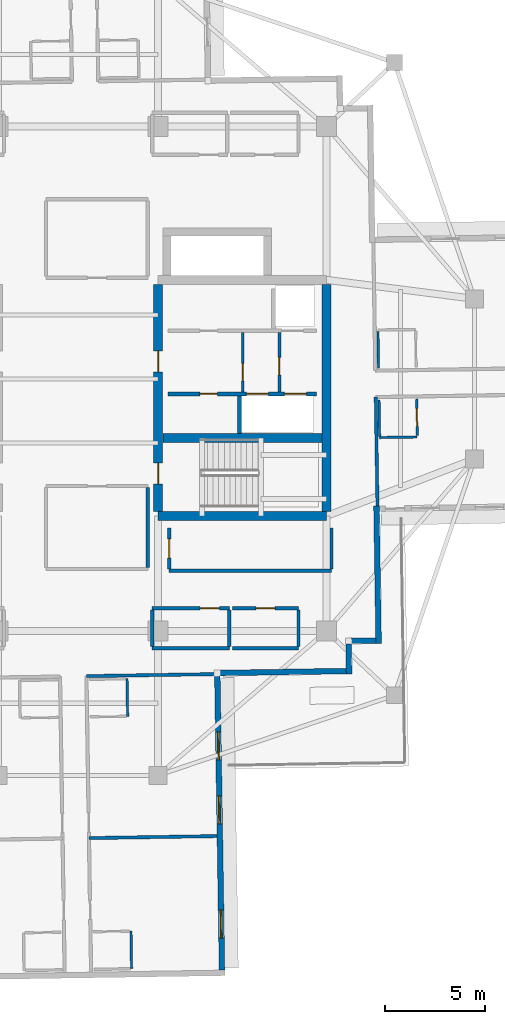
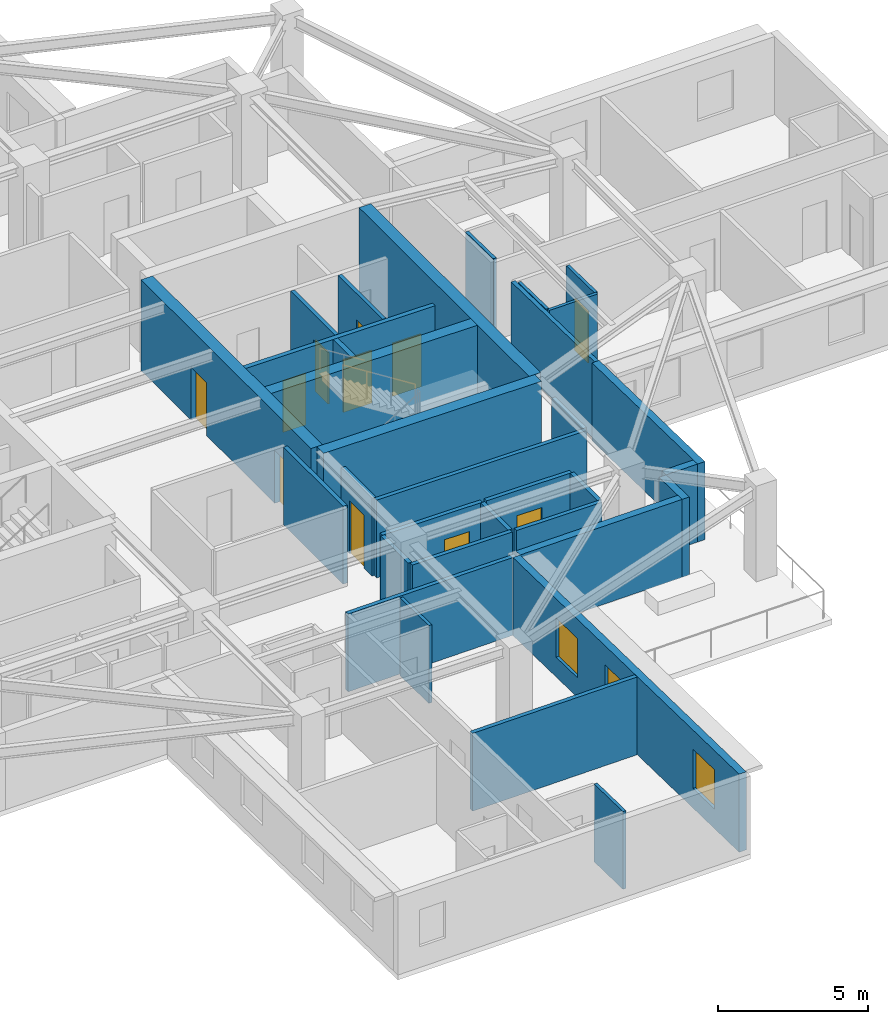
# One storey, part 5 of 13: 33 walls, 11 doors, 3 windows, 14 openings.
"""IFC4 building model written with IfcOpenShell, lengths in metres."""

from ifc_helpers import new_model, si_unit, direction, frame, frame_2d, origin, place, context, subcontext, project, spatial, rectangle, extrude, material, layer, layer_set, type_object, element, fill, save


model = new_model("IFC4")

# Units and contexts
model_context = context("Model", 3, precision=1e-05, world=origin(), true_north=direction((0.0, 1.0)))
body_context = subcontext(model_context, "Body", "Model", "MODEL_VIEW")
ifc_project = project(units=[si_unit("LENGTHUNIT", "METRE"), si_unit("AREAUNIT", "SQUARE_METRE"), si_unit("VOLUMEUNIT", "CUBIC_METRE"), si_unit("PLANEANGLEUNIT", "RADIAN"), si_unit("MASSUNIT", "GRAM", prefix="KILO")], contexts=[model_context])

# Site, building, storey
site_placement = place(None, origin())
site = spatial("IfcSite", under=ifc_project, at=site_placement, CompositionType="ELEMENT")
building_placement = place(site_placement, origin())
building = spatial("IfcBuilding", under=site, at=building_placement, Name="Qingluan Cross Belvedere", CompositionType="ELEMENT")
storey_placement = place(building_placement, frame((0.0, 0.0, 220.800048828125)))
storey = spatial("IfcBuildingStorey", under=building, at=storey_placement, Name="L55", CompositionType="ELEMENT", Elevation=220.800048828125)

# Wall
ifc_material_1 = material(Name="Concrete C50", Category="concrete")
ifc_layer_1 = layer(ifc_material_1, 0.449951171875, Name="CoreShearWall_450")
ifc_layer_set_1 = layer_set([ifc_layer_1], Name="Concrete C50")
wall_type_1 = type_object("IfcWallType", Name="CoreShearWall_450", PredefinedType="SHEAR", material=ifc_layer_set_1)
wall_1_placement = place(storey_placement, frame((4.0, -6.85009765625, 0.0), z_axis=(0.0, 0.0, 1.0), x_axis=(1.0, 0.0, 0.0)))
element("IfcWall", 1, at=wall_1_placement, inside=storey, type_object=wall_type_1, Name="Split core E shear wall L55-S", PredefinedType="SHEAR", context=body_context, shape_type="SweptSolid", body=[
    extrude(rectangle(XDim=8.39990234375, YDim=0.449951171875, at=frame_2d((4.199951171875, 0.0))), origin(), (0.0, 0.0, 1.0), 3.699951171875),
])

# Wall, openings, doors
wall_2_placement = place(storey_placement, frame((4.0, -6.6201171875, 0.0), z_axis=(0.0, 0.0, 1.0), x_axis=(0.0, 1.0, 0.0)))
wall_2 = element("IfcWall", 2, at=wall_2_placement, inside=storey, type_object=wall_type_1, Name="Split core E shear wall L55-W", PredefinedType="SHEAR", context=body_context, shape_type="SweptSolid", body=[
    extrude(rectangle(XDim=11.340087890625, YDim=0.449951171875, at=frame_2d((5.669921875, 0.0))), origin(), (0.0, 0.0, 1.0), 3.699951171875),
])
opening_1_placement = place(wall_2_placement, frame((1.3701171875, 0.0, 0.0)))
opening_1 = element("IfcOpeningElement", 3, at=opening_1_placement, cuts=wall_2, Name="Opening FD-B11", PredefinedType="OPENING", context=body_context, shape_type="SweptSolid", body=[
    extrude(rectangle(XDim=1.050048828125, YDim=2.14990234375, at=frame_2d((0.52490234375, 1.074951171875))), frame((0.0, 0.23486328125, 0.0), z_axis=(0.0, -1.0, 0.0), x_axis=(1.0, 0.0, 0.0)), (0.0, 0.0, 1.0), 0.469970703125),
])
opening_2_placement = place(wall_2_placement, frame((6.969970703125, 0.0, 0.0)))
opening_2 = element("IfcOpeningElement", 4, at=opening_2_placement, cuts=wall_2, Name="Opening FD-B11", PredefinedType="OPENING", context=body_context, shape_type="SweptSolid", body=[
    extrude(rectangle(XDim=1.050048828125, YDim=2.14990234375, at=frame_2d((0.52490234375, 1.074951171875))), frame((0.0, 0.23486328125, 0.0), z_axis=(0.0, -1.0, 0.0), x_axis=(1.0, 0.0, 0.0)), (0.0, 0.0, 1.0), 0.469970703125),
])
ifc_material_2 = material(Name="Steel Class B smoke-seal fire door", Category="steel")
door_type_1 = type_object("IfcDoorType", Name="StairLobbyFireDoor_FDB", OperationType="NOTDEFINED", PredefinedType="DOOR", material=ifc_material_2)
door_1_placement = place(opening_1_placement, origin())
door_1 = element("IfcDoor", 5, at=door_1_placement, inside=storey, type_object=door_type_1, Name="Smoke-proof stair ST2 fire door L55", OperationType="SINGLE_SWING_RIGHT", OverallHeight=2.14990234375, OverallWidth=1.050048828125, PredefinedType="DOOR", context=body_context, shape_type="SweptSolid", body=[
    extrude(rectangle(XDim=1.050048828125, YDim=2.14990234375, at=frame_2d((0.52490234375, 1.074951171875))), frame((0.0, 0.02490234375, 0.0), z_axis=(0.0, -1.0, 0.0), x_axis=(1.0, 0.0, 0.0)), (0.0, 0.0, 1.0), 0.050048828125),
])
fill(opening_1, door_1)
door_2_placement = place(opening_2_placement, origin())
door_2 = element("IfcDoor", 6, at=door_2_placement, inside=storey, type_object=door_type_1, Name="Firefighting lobby East fire door L55", OperationType="SINGLE_SWING_RIGHT", OverallHeight=2.14990234375, OverallWidth=1.050048828125, PredefinedType="DOOR", context=body_context, shape_type="SweptSolid", body=[
    extrude(rectangle(XDim=1.050048828125, YDim=2.14990234375, at=frame_2d((0.52490234375, 1.074951171875))), frame((0.0, 0.02490234375, 0.0), z_axis=(0.0, -1.0, 0.0), x_axis=(1.0, 0.0, 0.0)), (0.0, 0.0, 1.0), 0.050048828125),
])
fill(opening_2, door_2)

# Walls
wall_3_placement = place(storey_placement, frame((12.39990234375, -6.6201171875, 0.0), z_axis=(0.0, 0.0, 1.0), x_axis=(0.0, 1.0, 0.0)))
element("IfcWall", 7, at=wall_3_placement, inside=storey, type_object=wall_type_1, Name="Split core E shear wall L55-E", PredefinedType="SHEAR", context=body_context, shape_type="SweptSolid", body=[
    extrude(rectangle(XDim=11.340087890625, YDim=0.449951171875, at=frame_2d((5.669921875, 0.0))), origin(), (0.0, 0.0, 1.0), 3.699951171875),
])
wall_4_placement = place(storey_placement, frame((4.22998046875, -2.9599609375, 0.0), z_axis=(0.0, 0.0, 1.0), x_axis=(1.0, 0.0, 0.0)))
element("IfcWall", 8, at=wall_4_placement, inside=storey, type_object=wall_type_1, Name="Split core E shear wall L55-M", PredefinedType="SHEAR", context=body_context, shape_type="SweptSolid", body=[
    extrude(rectangle(XDim=7.93994140625, YDim=0.449951171875, at=frame_2d((3.969970703125, 0.0))), origin(), (0.0, 0.0, 1.0), 3.699951171875),
])

# Wall, opening, door
ifc_material_3 = material(Name="Gypsum plasterboard on steel stud acoustic partition", Category="steel")
ifc_layer_2 = layer(ifc_material_3, 0.159912109375, Name="CorridorPartition_160")
ifc_layer_set_2 = layer_set([ifc_layer_2], Name="Gypsum plasterboard on steel stud acoustic partition")
wall_type_2 = type_object("IfcWallType", Name="CorridorPartition_160", PredefinedType="PARTITIONING", material=ifc_layer_set_2)
wall_5_placement = place(storey_placement, frame((10.050048828125, -0.652099609375, 0.0), z_axis=(0.0, 0.0, 1.0), x_axis=(0.0, 1.0, 0.0)))
wall_5 = element("IfcWall", 9, at=wall_5_placement, inside=storey, type_object=wall_type_2, Name="Partition L55:ev", PredefinedType="PARTITIONING", context=body_context, shape_type="SweptSolid", body=[
    extrude(rectangle(XDim=2.962158203125, YDim=0.139892578125, at=frame_2d((1.48095703125, 0.0))), origin(), (0.0, 0.0, 1.0), 3.169921875),
])
opening_3_placement = place(wall_5_placement, frame((0.85009765625, 0.0, 0.0)))
opening_3 = element("IfcOpeningElement", 10, at=opening_3_placement, cuts=wall_5, Name="Opening FD-B10", PredefinedType="OPENING", context=body_context, shape_type="SweptSolid", body=[
    extrude(rectangle(XDim=0.8798828125, YDim=2.10009765625, at=frame_2d((0.43994140625, 1.050048828125))), frame((0.0, 0.079833984375, 0.0), z_axis=(0.0, -1.0, 0.0), x_axis=(1.0, 0.0, 0.0)), (0.0, 0.0, 1.0), 0.159912109375),
])
ifc_material_4 = material(Name="Steel Class B service fire door", Category="steel")
door_type_2 = type_object("IfcDoorType", Name="RiserServiceFireDoor_FDB", OperationType="NOTDEFINED", PredefinedType="DOOR", material=ifc_material_4)
door_3_placement = place(opening_3_placement, origin())
door_3 = element("IfcDoor", 11, at=door_3_placement, inside=storey, type_object=door_type_2, Name="Service closet inner door L55", OperationType="SINGLE_SWING_LEFT", OverallHeight=2.10009765625, OverallWidth=0.8798828125, PredefinedType="DOOR", context=body_context, shape_type="SweptSolid", body=[
    extrude(rectangle(XDim=0.8798828125, YDim=2.10009765625, at=frame_2d((0.43994140625, 1.050048828125))), frame((0.0, 0.02490234375, 0.0), z_axis=(0.0, -1.0, 0.0), x_axis=(1.0, 0.0, 0.0)), (0.0, 0.0, 1.0), 0.050048828125),
])
fill(opening_3, door_3)

# Wall
wall_6_placement = place(storey_placement, frame((3.699951171875, -13.449951171875, 0.0), z_axis=(0.0, 0.0, 1.0), x_axis=(1.0, 0.0, 0.0)))
element("IfcWall", 12, at=wall_6_placement, inside=storey, type_object=wall_type_2, Name="Partition L55:q_se1:S", PredefinedType="PARTITIONING", context=body_context, shape_type="SweptSolid", body=[
    extrude(rectangle(XDim=3.85009765625, YDim=0.159912109375, at=frame_2d((1.925048828125, 0.0))), origin(), (0.0, 0.0, 1.0), 3.169921875),
])

# Wall, opening, door
wall_7_placement = place(storey_placement, frame((3.699951171875, -11.449951171875, 0.0), z_axis=(0.0, 0.0, 1.0), x_axis=(1.0, 0.0, 0.0)))
wall_7 = element("IfcWall", 13, at=wall_7_placement, inside=storey, type_object=wall_type_2, Name="Partition L55:q_se1:N", PredefinedType="PARTITIONING", context=body_context, shape_type="SweptSolid", body=[
    extrude(rectangle(XDim=3.85009765625, YDim=0.159912109375, at=frame_2d((1.925048828125, 0.0))), origin(), (0.0, 0.0, 1.0), 3.169921875),
])
opening_4_placement = place(wall_7_placement, frame((2.39501953125, 0.0, 0.0)))
opening_4 = element("IfcOpeningElement", 14, at=opening_4_placement, cuts=wall_7, Name="Opening GD-10", PredefinedType="OPENING", context=body_context, shape_type="SweptSolid", body=[
    extrude(rectangle(XDim=0.9599609375, YDim=2.14990234375, at=frame_2d((0.47998046875, 1.074951171875))), frame((0.0, 0.08984375, 0.0), z_axis=(0.0, -1.0, 0.0), x_axis=(1.0, 0.0, 0.0)), (0.0, 0.0, 1.0), 0.179931640625),
])
ifc_material_5 = material(Name="Timber oak fire-rated acoustic guestroom door", Category="wood")
door_type_3 = type_object("IfcDoorType", Name="GuestEntryDoor_FD60", OperationType="NOTDEFINED", PredefinedType="DOOR", material=ifc_material_5)
door_4_placement = place(opening_4_placement, origin())
door_4 = element("IfcDoor", 15, at=door_4_placement, inside=storey, type_object=door_type_3, Name="Botanical infusion pantry L55 door", OperationType="SINGLE_SWING_RIGHT", OverallHeight=2.14990234375, OverallWidth=0.9599609375, PredefinedType="DOOR", context=body_context, shape_type="SweptSolid", body=[
    extrude(rectangle(XDim=0.9599609375, YDim=2.14990234375, at=frame_2d((0.47998046875, 1.074951171875))), frame((0.0, 0.02490234375, 0.0), z_axis=(0.0, -1.0, 0.0), x_axis=(1.0, 0.0, 0.0)), (0.0, 0.0, 1.0), 0.050048828125),
])
fill(opening_4, door_4)

# Walls
for number, where, z_axis, x_axis, name in (
    (16, (3.699951171875, -13.364990234375, 0.0), (0.0, 0.0, 1.0), (0.0, 1.0, 0.0), "Partition L55:q_se1:W"),
    (17, (7.550048828125, -13.364990234375, 0.0), (0.0, 0.0, 1.0), (0.0, 1.0, 0.0), "Partition L55:q_se1:E"),
):
    element("IfcWall", number, at=place(storey_placement, frame(where, z_axis=z_axis, x_axis=x_axis)), inside=storey, type_object=wall_type_2, Name=name, PredefinedType="PARTITIONING", context=body_context, shape_type="SweptSolid", body=[
        extrude(rectangle(XDim=1.830078125, YDim=0.159912109375, at=frame_2d((0.9150390625, 0.0))), origin(), (0.0, 0.0, 1.0), 3.169921875),
    ])
wall_8_placement = place(storey_placement, frame((7.7099609375, -13.449951171875, 0.0), z_axis=(0.0, 0.0, 1.0), x_axis=(1.0, 0.0, 0.0)))
element("IfcWall", 18, at=wall_8_placement, inside=storey, type_object=wall_type_2, Name="Partition L55:q_se2:S", PredefinedType="PARTITIONING", context=body_context, shape_type="SweptSolid", body=[
    extrude(rectangle(XDim=3.2900390625, YDim=0.159912109375, at=frame_2d((1.64501953125, 0.0))), origin(), (0.0, 0.0, 1.0), 3.169921875),
])

# Wall, opening, door
wall_9_placement = place(storey_placement, frame((7.7099609375, -11.449951171875, 0.0), z_axis=(0.0, 0.0, 1.0), x_axis=(1.0, 0.0, 0.0)))
wall_9 = element("IfcWall", 19, at=wall_9_placement, inside=storey, type_object=wall_type_2, Name="Partition L55:q_se2:N", PredefinedType="PARTITIONING", context=body_context, shape_type="SweptSolid", body=[
    extrude(rectangle(XDim=3.2900390625, YDim=0.159912109375, at=frame_2d((1.64501953125, 0.0))), origin(), (0.0, 0.0, 1.0), 3.169921875),
])
opening_5_placement = place(wall_9_placement, frame((1.1650390625, 0.0, 0.0)))
opening_5 = element("IfcOpeningElement", 20, at=opening_5_placement, cuts=wall_9, Name="Opening GD-10", PredefinedType="OPENING", context=body_context, shape_type="SweptSolid", body=[
    extrude(rectangle(XDim=0.9599609375, YDim=2.14990234375, at=frame_2d((0.47998046875, 1.074951171875))), frame((0.0, 0.08984375, 0.0), z_axis=(0.0, -1.0, 0.0), x_axis=(1.0, 0.0, 0.0)), (0.0, 0.0, 1.0), 0.179931640625),
])
door_5_placement = place(opening_5_placement, origin())
door_5 = element("IfcDoor", 21, at=door_5_placement, inside=storey, type_object=door_type_3, Name="Southeast study room L55 door", OperationType="SINGLE_SWING_LEFT", OverallHeight=2.14990234375, OverallWidth=0.9599609375, PredefinedType="DOOR", context=body_context, shape_type="SweptSolid", body=[
    extrude(rectangle(XDim=0.9599609375, YDim=2.14990234375, at=frame_2d((0.47998046875, 1.074951171875))), frame((0.0, 0.02490234375, 0.0), z_axis=(0.0, -1.0, 0.0), x_axis=(1.0, 0.0, 0.0)), (0.0, 0.0, 1.0), 0.050048828125),
])
fill(opening_5, door_5)

# Walls
wall_10_placement = place(storey_placement, frame((11.0, -13.364990234375, 0.0), z_axis=(0.0, 0.0, 1.0), x_axis=(0.0, 1.0, 0.0)))
element("IfcWall", 22, at=wall_10_placement, inside=storey, type_object=wall_type_2, Name="Partition L55:q_se2:E", PredefinedType="PARTITIONING", context=body_context, shape_type="SweptSolid", body=[
    extrude(rectangle(XDim=1.830078125, YDim=0.159912109375, at=frame_2d((0.9150390625, 0.0))), origin(), (0.0, 0.0, 1.0), 3.169921875),
])
wall_11_placement = place(storey_placement, frame((3.47998046875, -9.4150390625, 0.0), z_axis=(0.0, 0.0, 1.0), x_axis=(0.0, 1.0, 0.0)))
element("IfcWall", 23, at=wall_11_placement, inside=storey, type_object=wall_type_2, Name="Partition L55:sky_south_alcove:E", PredefinedType="PARTITIONING", context=body_context, shape_type="SweptSolid", body=[
    extrude(rectangle(XDim=3.97998046875, YDim=0.159912109375, at=frame_2d((1.989990234375, 0.0))), origin(), (0.0, 0.0, 1.0), 3.169921875),
])
wall_12_placement = place(storey_placement, frame((4.550048828125, -9.580078125, 0.0), z_axis=(0.0, 0.0, 1.0), x_axis=(1.0, 0.0, 0.0)))
element("IfcWall", 24, at=wall_12_placement, inside=storey, type_object=wall_type_2, Name="Partition L55:rec_st4:S", PredefinedType="PARTITIONING", context=body_context, shape_type="SweptSolid", body=[
    extrude(rectangle(XDim=8.099853515625, YDim=0.159912109375, at=frame_2d((4.0498046875, 0.0))), origin(), (0.0, 0.0, 1.0), 3.169921875),
])

# Wall, opening, door
wall_13_placement = place(storey_placement, frame((4.550048828125, -9.4951171875, 0.0), z_axis=(0.0, 0.0, 1.0), x_axis=(0.0, 1.0, 0.0)))
wall_13 = element("IfcWall", 25, at=wall_13_placement, inside=storey, type_object=wall_type_2, Name="Partition L55:rec_st4:W", PredefinedType="PARTITIONING", context=body_context, shape_type="SweptSolid", body=[
    extrude(rectangle(XDim=2.06005859375, YDim=0.159912109375, at=frame_2d((1.030029296875, 0.0))), origin(), (0.0, 0.0, 1.0), 3.169921875),
])
opening_6_placement = place(wall_13_placement, frame((0.550048828125, 0.0, 0.0)))
opening_6 = element("IfcOpeningElement", 26, at=opening_6_placement, cuts=wall_13, Name="Opening GD-10", PredefinedType="OPENING", context=body_context, shape_type="SweptSolid", body=[
    extrude(rectangle(XDim=0.9599609375, YDim=2.14990234375, at=frame_2d((0.47998046875, 1.074951171875))), frame((0.0, 0.08984375, 0.0), z_axis=(0.0, -1.0, 0.0), x_axis=(1.0, 0.0, 0.0)), (0.0, 0.0, 1.0), 0.179931640625),
])
door_6_placement = place(opening_6_placement, origin())
door_6 = element("IfcDoor", 27, at=door_6_placement, inside=storey, type_object=door_type_3, Name="Southeast club library room L55 door", OperationType="SINGLE_SWING_LEFT", OverallHeight=2.14990234375, OverallWidth=0.9599609375, PredefinedType="DOOR", context=body_context, shape_type="SweptSolid", body=[
    extrude(rectangle(XDim=0.9599609375, YDim=2.14990234375, at=frame_2d((0.47998046875, 1.074951171875))), frame((0.0, 0.02490234375, 0.0), z_axis=(0.0, -1.0, 0.0), x_axis=(1.0, 0.0, 0.0)), (0.0, 0.0, 1.0), 0.050048828125),
])
fill(opening_6, door_6)

# Walls
wall_14_placement = place(storey_placement, frame((12.64990234375, -9.4951171875, 0.0), z_axis=(0.0, 0.0, 1.0), x_axis=(0.0, 1.0, 0.0)))
element("IfcWall", 28, at=wall_14_placement, inside=storey, type_object=wall_type_2, Name="Partition L55:rec_st4:E", PredefinedType="PARTITIONING", context=body_context, shape_type="SweptSolid", body=[
    extrude(rectangle(XDim=2.06005859375, YDim=0.159912109375, at=frame_2d((1.030029296875, 0.0))), origin(), (0.0, 0.0, 1.0), 3.169921875),
])
wall_15_placement = place(storey_placement, frame((14.8662109375, -0.906494140625, 0.0), z_axis=(0.0, 0.0, 1.0), x_axis=(0.015685578453, -0.999876973747, 0.0)))
element("IfcWall", 29, at=wall_15_placement, inside=storey, type_object=wall_type_2, Name="Partition L55:E:s1", PredefinedType="PARTITIONING", context=body_context, shape_type="SweptSolid", body=[
    extrude(rectangle(XDim=5.43212890625, YDim=0.159912109375, at=frame_2d((2.716064453125, 0.0))), origin(), (0.0, 0.0, 1.0), 3.169921875),
])
wall_16_placement = place(storey_placement, frame((0.4130859375, -14.84521484375, 0.0), z_axis=(0.0, 0.0, 1.0), x_axis=(0.999877084909, 0.015678490784, 0.0)))
element("IfcWall", 30, at=wall_16_placement, inside=storey, type_object=wall_type_2, Name="Partition L55:S:s0", PredefinedType="PARTITIONING", context=body_context, shape_type="SweptSolid", body=[
    extrude(rectangle(XDim=6.5400390625, YDim=0.159912109375, at=frame_2d((3.27001953125, 0.0))), origin(), (0.0, 0.0, 1.0), 3.169921875),
])
wall_17_placement = place(storey_placement, frame((0.540283203125, -22.936279296875, 0.0), z_axis=(0.0, 0.0, 1.0), x_axis=(0.999876774542, 0.015698271615, 0.0)))
element("IfcWall", 31, at=wall_17_placement, inside=storey, type_object=wall_type_2, Name="Partition L55:S:d0_0", PredefinedType="PARTITIONING", context=body_context, shape_type="SweptSolid", body=[
    extrude(rectangle(XDim=6.391845703125, YDim=0.159912109375, at=frame_2d((3.19580078125, 0.0))), origin(), (0.0, 0.0, 1.0), 3.169921875),
])
ifc_material_6 = material(Name="Moisture-resistant gypsum board lining")
ifc_layer_3 = layer(ifc_material_6, 0.1201171875, Name="EnsuiteWetPartition_120")
ifc_layer_set_3 = layer_set([ifc_layer_3], Name="Moisture-resistant gypsum board lining")
wall_type_3 = type_object("IfcWallType", Name="EnsuiteWetPartition_120", PredefinedType="PARTITIONING", material=ifc_layer_set_3)
wall_18_placement = place(storey_placement, frame((15.003173828125, 0.5556640625, 0.0), z_axis=(0.0, 0.0, 1.0), x_axis=(-0.015694337248, 0.999876836305, 0.0)))
element("IfcWall", 32, at=wall_18_placement, inside=storey, type_object=wall_type_3, Name="Partition L55:E:bw0_0", PredefinedType="PARTITIONING", context=body_context, shape_type="SweptSolid", body=[
    extrude(rectangle(XDim=1.820068359375, YDim=0.1201171875, at=frame_2d((0.91015625, 0.0))), origin(), (0.0, 0.0, 1.0), 3.169921875),
])

# Wall, opening, door
wall_19_placement = place(storey_placement, frame((16.9365234375, -2.834228515625, 0.0), z_axis=(0.0, 0.0, 1.0), x_axis=(-0.015694337248, 0.999876836305, 0.0)))
wall_19 = element("IfcWall", 33, at=wall_19_placement, inside=storey, type_object=wall_type_3, Name="Partition L55:E:bs1_0", PredefinedType="PARTITIONING", context=body_context, shape_type="SweptSolid", body=[
    extrude(rectangle(XDim=1.820068359375, YDim=0.1201171875, at=frame_2d((0.91015625, 0.0))), origin(), (0.0, 0.0, 1.0), 3.169921875),
])
opening_7_placement = place(wall_19_placement, frame((0.469970703125, 0.0, 0.0)))
opening_7 = element("IfcOpeningElement", 34, at=opening_7_placement, cuts=wall_19, Name="Opening BD-09", PredefinedType="OPENING", context=body_context, shape_type="SweptSolid", body=[
    extrude(rectangle(XDim=0.8798828125, YDim=2.10009765625, at=frame_2d((0.43994140625, 1.050048828125))), frame((0.0, 0.070068359375, 0.0), z_axis=(0.0, -1.0, 0.0), x_axis=(1.0, 0.0, 0.0)), (0.0, 0.0, 1.0), 0.14013671875),
])
ifc_material_7 = material(Name="Moisture-sealed timber en-suite door", Category="wood")
door_type_4 = type_object("IfcDoorType", Name="BathroomDoor_880", OperationType="NOTDEFINED", PredefinedType="DOOR", material=ifc_material_7)
door_7_placement = place(opening_7_placement, origin())
door_7 = element("IfcDoor", 35, at=door_7_placement, inside=storey, type_object=door_type_4, Name="Bathroom door 5503", OperationType="SINGLE_SWING_RIGHT", OverallHeight=2.10009765625, OverallWidth=0.8798828125, PredefinedType="DOOR", context=body_context, shape_type="SweptSolid", body=[
    extrude(rectangle(XDim=0.8798828125, YDim=2.10009765625, at=frame_2d((0.43994140625, 1.050048828125))), frame((0.0, 0.02490234375, 0.0), z_axis=(0.0, -1.0, 0.0), x_axis=(1.0, 0.0, 0.0)), (0.0, 0.0, 1.0), 0.050048828125),
])
fill(opening_7, door_7)

# Walls
wall_20_placement = place(storey_placement, frame((15.056884765625, -2.864013671875, 0.0), z_axis=(0.0, 0.0, 1.0), x_axis=(-0.015694337248, 0.999876836305, 0.0)))
element("IfcWall", 36, at=wall_20_placement, inside=storey, type_object=wall_type_3, Name="Partition L55:E:bw1_0", PredefinedType="PARTITIONING", context=body_context, shape_type="SweptSolid", body=[
    extrude(rectangle(XDim=1.820068359375, YDim=0.1201171875, at=frame_2d((0.91015625, 0.0))), origin(), (0.0, 0.0, 1.0), 3.169921875),
])
wall_21_placement = place(storey_placement, frame((15.057861328125, -2.9287109375, 0.0), z_axis=(0.0, 0.0, 1.0), x_axis=(0.999878553575, 0.01558454688, 0.0)))
element("IfcWall", 37, at=wall_21_placement, inside=storey, type_object=wall_type_3, Name="Partition L55:E:bc1_0", PredefinedType="PARTITIONING", context=body_context, shape_type="SweptSolid", body=[
    extrude(rectangle(XDim=1.8798828125, YDim=0.1201171875, at=frame_2d((0.93994140625, 0.0))), origin(), (0.0, 0.0, 1.0), 3.169921875),
])
wall_22_placement = place(storey_placement, frame((2.4404296875, -14.973388671875, 0.0), z_axis=(0.0, 0.0, 1.0), x_axis=(0.01571234584, -0.999876553475, 0.0)))
element("IfcWall", 38, at=wall_22_placement, inside=storey, type_object=wall_type_3, Name="Partition L55:S:bn0_0", PredefinedType="PARTITIONING", context=body_context, shape_type="SweptSolid", body=[
    extrude(rectangle(XDim=1.880126953125, YDim=0.1201171875, at=frame_2d((0.93994140625, 0.0))), origin(), (0.0, 0.0, 1.0), 3.169921875),
])
wall_23_placement = place(storey_placement, frame((2.638671875, -27.58203125, 0.0), z_axis=(0.0, 0.0, 1.0), x_axis=(0.015714386166, -0.99987652141, 0.0)))
element("IfcWall", 39, at=wall_23_placement, inside=storey, type_object=wall_type_3, Name="Partition L55:S:bn0_1", PredefinedType="PARTITIONING", context=body_context, shape_type="SweptSolid", body=[
    extrude(rectangle(XDim=1.8798828125, YDim=0.1201171875, at=frame_2d((0.93994140625, 0.0))), origin(), (0.0, 0.0, 1.0), 3.169921875),
])

# Wall, openings, windows
ifc_material_8 = material(Name="Precast concrete C45", Category="concrete")
ifc_layer_4 = layer(ifc_material_8, 0.280029296875, Name="PrecastFacadeWall_280")
ifc_layer_set_4 = layer_set([ifc_layer_4], Name="Precast concrete C45")
wall_type_4 = type_object("IfcWallType", Name="PrecastFacadeWall_280", PredefinedType="STANDARD", material=ifc_layer_set_4)
wall_24_placement = place(storey_placement, frame((7.184814453125, -29.53076171875, 0.0), z_axis=(0.0, 0.0, 1.0), x_axis=(-0.015711302158, 0.999876569875, 0.0)))
wall_24 = element("IfcWall", 40, at=wall_24_placement, inside=storey, type_object=wall_type_4, Name="Facade wall L55-SB", PredefinedType="STANDARD", context=body_context, shape_type="SweptSolid", body=[
    extrude(rectangle(XDim=14.699951171875, YDim=0.280029296875, at=frame_2d((7.35009765625, 0.0))), origin(), (0.0, 0.0, 1.0), 3.179931640625),
])
opening_8_placement = place(wall_24_placement, frame((1.60009765625, 0.0, 0.800048828125)))
opening_8 = element("IfcOpeningElement", 41, at=opening_8_placement, cuts=wall_24, Name="Opening W-01", PredefinedType="OPENING", context=body_context, shape_type="SweptSolid", body=[
    extrude(rectangle(XDim=1.39990234375, YDim=1.60009765625, at=frame_2d((0.699951171875, 0.800048828125))), frame((0.0, 0.14990234375, 0.0), z_axis=(0.0, -1.0, 0.0), x_axis=(1.0, 0.0, 0.0)), (0.0, 0.0, 1.0), 0.300048828125),
])
opening_9_placement = place(wall_24_placement, frame((7.300048828125, 0.0, 0.800048828125)))
opening_9 = element("IfcOpeningElement", 42, at=opening_9_placement, cuts=wall_24, Name="Opening W-01", PredefinedType="OPENING", context=body_context, shape_type="SweptSolid", body=[
    extrude(rectangle(XDim=1.39990234375, YDim=1.60009765625, at=frame_2d((0.699951171875, 0.800048828125))), frame((0.0, 0.14990234375, 0.0), z_axis=(0.0, -1.0, 0.0), x_axis=(1.0, 0.0, 0.0)), (0.0, 0.0, 1.0), 0.300048828125),
])
opening_10_placement = place(wall_24_placement, frame((10.5, 0.0, 0.800048828125)))
opening_10 = element("IfcOpeningElement", 43, at=opening_10_placement, cuts=wall_24, Name="Opening W-01", PredefinedType="OPENING", context=body_context, shape_type="SweptSolid", body=[
    extrude(rectangle(XDim=1.39990234375, YDim=1.60009765625, at=frame_2d((0.699951171875, 0.800048828125))), frame((0.0, 0.14990234375, 0.0), z_axis=(0.0, -1.0, 0.0), x_axis=(1.0, 0.0, 0.0)), (0.0, 0.0, 1.0), 0.300048828125),
])
ifc_material_9 = material(Name="Thermally broken triple Low-E glass in aluminium frame", Category="aluminium")
window_type = type_object("IfcWindowType", Name="TriRibbonWin_1400x1600", PartitioningType="SINGLE_PANEL", PredefinedType="WINDOW", material=ifc_material_9)
window_1_placement = place(opening_8_placement, origin())
window_1 = element("IfcWindow", 44, at=window_1_placement, inside=storey, type_object=window_type, Name="Ribbon window L55-SB-1", OverallHeight=1.60009765625, OverallWidth=1.39990234375, PartitioningType="SINGLE_PANEL", PredefinedType="WINDOW", context=body_context, shape_type="SweptSolid", body=[
    extrude(rectangle(XDim=1.39990234375, YDim=1.60009765625, at=frame_2d((0.699951171875, 0.800048828125))), frame((0.0, 0.030029296875, 0.0), z_axis=(0.0, -1.0, 0.0), x_axis=(1.0, 0.0, 0.0)), (0.0, 0.0, 1.0), 0.06005859375),
])
fill(opening_8, window_1)
window_2_placement = place(opening_9_placement, origin())
window_2 = element("IfcWindow", 45, at=window_2_placement, inside=storey, type_object=window_type, Name="Ribbon window L55-SB-2", OverallHeight=1.60009765625, OverallWidth=1.39990234375, PartitioningType="SINGLE_PANEL", PredefinedType="WINDOW", context=body_context, shape_type="SweptSolid", body=[
    extrude(rectangle(XDim=1.39990234375, YDim=1.60009765625, at=frame_2d((0.699951171875, 0.800048828125))), frame((0.0, 0.030029296875, 0.0), z_axis=(0.0, -1.0, 0.0), x_axis=(1.0, 0.0, 0.0)), (0.0, 0.0, 1.0), 0.06005859375),
])
fill(opening_9, window_2)
window_3_placement = place(opening_10_placement, origin())
window_3 = element("IfcWindow", 46, at=window_3_placement, inside=storey, type_object=window_type, Name="Ribbon window L55-SB-3", OverallHeight=1.60009765625, OverallWidth=1.39990234375, PartitioningType="SINGLE_PANEL", PredefinedType="WINDOW", context=body_context, shape_type="SweptSolid", body=[
    extrude(rectangle(XDim=1.39990234375, YDim=1.60009765625, at=frame_2d((0.699951171875, 0.800048828125))), frame((0.0, 0.030029296875, 0.0), z_axis=(0.0, -1.0, 0.0), x_axis=(1.0, 0.0, 0.0)), (0.0, 0.0, 1.0), 0.06005859375),
])
fill(opening_10, window_3)

# Walls
wall_25_placement = place(storey_placement, frame((14.901611328125, -6.3466796875, 0.0), z_axis=(0.0, 0.0, 1.0), x_axis=(0.015694809807, -0.999876828887, 0.0)))
element("IfcWall", 47, at=wall_25_placement, inside=storey, type_object=wall_type_4, Name="Corner wall L55-SE1", PredefinedType="STANDARD", context=body_context, shape_type="SweptSolid", body=[
    extrude(rectangle(XDim=6.85986328125, YDim=0.280029296875, at=frame_2d((3.429931640625, 0.0))), origin(), (0.0, 0.0, 1.0), 3.179931640625),
])
wall_26_placement = place(storey_placement, frame((14.8671875, -13.068115234375, 0.0), z_axis=(0.0, 0.0, 1.0), x_axis=(-0.999875053502, -0.015807510352, 0.0)))
element("IfcWall", 48, at=wall_26_placement, inside=storey, type_object=wall_type_4, Name="Corner wall L55-SE2", PredefinedType="STANDARD", context=body_context, shape_type="SweptSolid", body=[
    extrude(rectangle(XDim=1.22021484375, YDim=0.280029296875, at=frame_2d((0.610107421875, 0.0))), origin(), (0.0, 0.0, 1.0), 3.179931640625),
])
wall_27_placement = place(storey_placement, frame((13.509521484375, -13.2294921875, 0.0), z_axis=(0.0, 0.0, 1.0), x_axis=(0.015625635615, -0.999877912303, 0.0)))
element("IfcWall", 49, at=wall_27_placement, inside=storey, type_object=wall_type_4, Name="Corner wall L55-SE3", PredefinedType="STANDARD", context=body_context, shape_type="SweptSolid", body=[
    extrude(rectangle(XDim=1.5, YDim=0.280029296875, at=frame_2d((0.75, 0.0))), origin(), (0.0, 0.0, 1.0), 3.179931640625),
])
wall_28_placement = place(storey_placement, frame((13.390869140625, -14.591552734375, 0.0), z_axis=(0.0, 0.0, 1.0), x_axis=(-0.999876833368, -0.015694524359, 0.0)))
element("IfcWall", 50, at=wall_28_placement, inside=storey, type_object=wall_type_4, Name="Corner wall L55-SE4", PredefinedType="STANDARD", context=body_context, shape_type="SweptSolid", body=[
    extrude(rectangle(XDim=6.300048828125, YDim=0.280029296875, at=frame_2d((3.14990234375, 0.0))), origin(), (0.0, 0.0, 1.0), 3.179931640625),
])

# Wall, openings, doors
ifc_material_10 = material(Name="Concrete C40", Category="concrete")
ifc_layer_5 = layer(ifc_material_10, 0.219970703125, Name="ShaftEnclosureWall_250")
ifc_layer_set_5 = layer_set([ifc_layer_5], Name="Concrete C40")
wall_type_5 = type_object("IfcWallType", Name="ShaftEnclosureWall_250", PredefinedType="SOLIDWALL", material=ifc_layer_set_5)
wall_29_placement = place(storey_placement, frame((4.47998046875, -0.75, 0.0), z_axis=(0.0, 0.0, 1.0), x_axis=(1.0, 0.0, 0.0)))
wall_29 = element("IfcWall", 51, at=wall_29_placement, inside=storey, type_object=wall_type_5, Name="Core-E mid hoistway wall L55", PredefinedType="SOLIDWALL", context=body_context, shape_type="SweptSolid", body=[
    extrude(rectangle(XDim=7.419921875, YDim=0.179931640625, at=frame_2d((3.7099609375, 0.0))), origin(), (0.0, 0.0, 1.0), 3.169921875),
])
opening_11_placement = place(wall_29_placement, frame((3.919921875, 0.0, 0.0)))
opening_11 = element("IfcOpeningElement", 52, at=opening_11_placement, cuts=wall_29, Name="Opening LD-11", PredefinedType="OPENING", context=body_context, shape_type="SweptSolid", body=[
    extrude(rectangle(XDim=1.10009765625, YDim=2.14990234375, at=frame_2d((0.550048828125, 1.074951171875))), frame((0.0, 0.099853515625, 0.0), z_axis=(0.0, -1.0, 0.0), x_axis=(1.0, 0.0, 0.0)), (0.0, 0.0, 1.0), 0.199951171875),
])
opening_12_placement = place(wall_29_placement, frame((5.820068359375, 0.0, 0.0)))
opening_12 = element("IfcOpeningElement", 53, at=opening_12_placement, cuts=wall_29, Name="Opening LD-11", PredefinedType="OPENING", context=body_context, shape_type="SweptSolid", body=[
    extrude(rectangle(XDim=1.10009765625, YDim=2.14990234375, at=frame_2d((0.550048828125, 1.074951171875))), frame((0.0, 0.099853515625, 0.0), z_axis=(0.0, -1.0, 0.0), x_axis=(1.0, 0.0, 0.0)), (0.0, 0.0, 1.0), 0.199951171875),
])
opening_13_placement = place(wall_29_placement, frame((1.60009765625, 0.0, 0.0)))
opening_13 = element("IfcOpeningElement", 54, at=opening_13_placement, cuts=wall_29, Name="Opening FD-B10", PredefinedType="OPENING", context=body_context, shape_type="SweptSolid", body=[
    extrude(rectangle(XDim=0.8798828125, YDim=2.10009765625, at=frame_2d((0.43994140625, 1.050048828125))), frame((0.0, 0.099853515625, 0.0), z_axis=(0.0, -1.0, 0.0), x_axis=(1.0, 0.0, 0.0)), (0.0, 0.0, 1.0), 0.199951171875),
])
ifc_material_11 = material(Name="Brushed stainless steel centre-opening lift landing door", Category="steel")
door_type_5 = type_object("IfcDoorType", Name="LiftLandingSlidingDoor_1100", OperationType="DOUBLE_DOOR_SLIDING", PredefinedType="DOOR", material=ifc_material_11)
door_8_placement = place(opening_11_placement, origin())
door_8 = element("IfcDoor", 55, at=door_8_placement, inside=storey, type_object=door_type_5, Name="Lift landing sliding door LP9 L55", OperationType="DOUBLE_DOOR_SLIDING", OverallHeight=2.14990234375, OverallWidth=1.10009765625, PredefinedType="DOOR", context=body_context, shape_type="SweptSolid", body=[
    extrude(rectangle(XDim=1.10009765625, YDim=2.14990234375, at=frame_2d((0.550048828125, 1.074951171875))), frame((0.0, 0.02490234375, 0.0), z_axis=(0.0, -1.0, 0.0), x_axis=(1.0, 0.0, 0.0)), (0.0, 0.0, 1.0), 0.050048828125),
])
fill(opening_11, door_8)
door_9_placement = place(opening_12_placement, origin())
door_9 = element("IfcDoor", 56, at=door_9_placement, inside=storey, type_object=door_type_5, Name="Lift landing sliding door LP10 L55", OperationType="DOUBLE_DOOR_SLIDING", OverallHeight=2.14990234375, OverallWidth=1.10009765625, PredefinedType="DOOR", context=body_context, shape_type="SweptSolid", body=[
    extrude(rectangle(XDim=1.10009765625, YDim=2.14990234375, at=frame_2d((0.550048828125, 1.074951171875))), frame((0.0, 0.02490234375, 0.0), z_axis=(0.0, -1.0, 0.0), x_axis=(1.0, 0.0, 0.0)), (0.0, 0.0, 1.0), 0.050048828125),
])
fill(opening_12, door_9)
door_10_placement = place(opening_13_placement, origin())
door_10 = element("IfcDoor", 57, at=door_10_placement, inside=storey, type_object=door_type_2, Name="Upper-zone linen store door L55", OperationType="SINGLE_SWING_LEFT", OverallHeight=2.10009765625, OverallWidth=0.8798828125, PredefinedType="DOOR", context=body_context, shape_type="SweptSolid", body=[
    extrude(rectangle(XDim=0.8798828125, YDim=2.10009765625, at=frame_2d((0.43994140625, 1.050048828125))), frame((0.0, 0.02490234375, 0.0), z_axis=(0.0, -1.0, 0.0), x_axis=(1.0, 0.0, 0.0)), (0.0, 0.0, 1.0), 0.050048828125),
])
fill(opening_13, door_10)

# Wall
wall_30_placement = place(storey_placement, frame((8.06005859375, -2.72998046875, 0.0), z_axis=(0.0, 0.0, 1.0), x_axis=(0.0, 1.0, 0.0)))
element("IfcWall", 58, at=wall_30_placement, inside=storey, type_object=wall_type_5, Name="Hoistway enclosure divider LP9W L55", PredefinedType="SOLIDWALL", context=body_context, shape_type="SweptSolid", body=[
    extrude(rectangle(XDim=1.889892578125, YDim=0.179931640625, at=frame_2d((0.94482421875, 0.0))), origin(), (0.0, 0.0, 1.0), 3.169921875),
])

# Wall, opening, door
wall_31_placement = place(storey_placement, frame((8.219970703125, -0.64990234375, 0.0), z_axis=(0.0, 0.0, 1.0), x_axis=(0.0, 1.0, 0.0)))
wall_31 = element("IfcWall", 59, at=wall_31_placement, inside=storey, type_object=wall_type_5, Name="Core-E service corridor wall L55", PredefinedType="SOLIDWALL", context=body_context, shape_type="SweptSolid", body=[
    extrude(rectangle(XDim=2.9599609375, YDim=0.139892578125, at=frame_2d((1.47998046875, 0.0))), origin(), (0.0, 0.0, 1.0), 3.169921875),
])
opening_14_placement = place(wall_31_placement, frame((0.550048828125, 0.0, 0.0)))
opening_14 = element("IfcOpeningElement", 60, at=opening_14_placement, cuts=wall_31, Name="Opening FD-B10", PredefinedType="OPENING", context=body_context, shape_type="SweptSolid", body=[
    extrude(rectangle(XDim=0.8798828125, YDim=2.10009765625, at=frame_2d((0.43994140625, 1.050048828125))), frame((0.0, 0.079833984375, 0.0), z_axis=(0.0, -1.0, 0.0), x_axis=(1.0, 0.0, 0.0)), (0.0, 0.0, 1.0), 0.159912109375),
])
door_11_placement = place(opening_14_placement, origin())
door_11 = element("IfcDoor", 61, at=door_11_placement, inside=storey, type_object=door_type_2, Name="Core-E service room door L55", OperationType="SINGLE_SWING_LEFT", OverallHeight=2.10009765625, OverallWidth=0.8798828125, PredefinedType="DOOR", context=body_context, shape_type="SweptSolid", body=[
    extrude(rectangle(XDim=0.8798828125, YDim=2.10009765625, at=frame_2d((0.43994140625, 1.050048828125))), frame((0.0, 0.02490234375, 0.0), z_axis=(0.0, -1.0, 0.0), x_axis=(1.0, 0.0, 0.0)), (0.0, 0.0, 1.0), 0.050048828125),
])
fill(opening_14, door_11)

save(model, "model.ifc")
